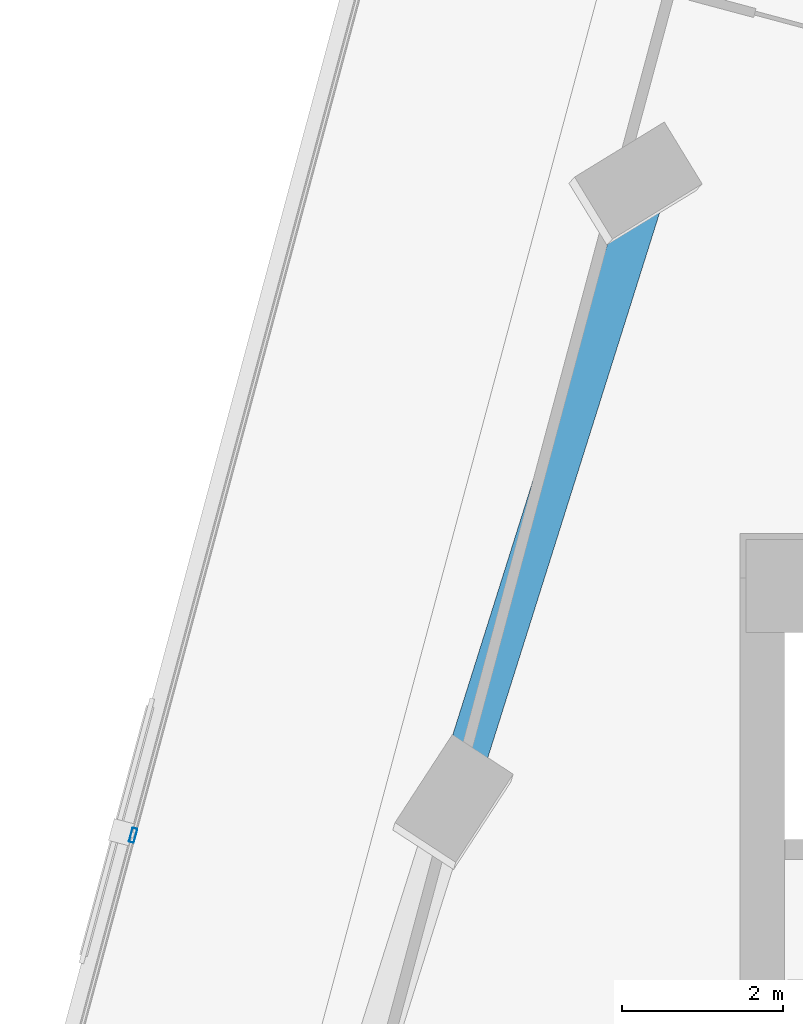
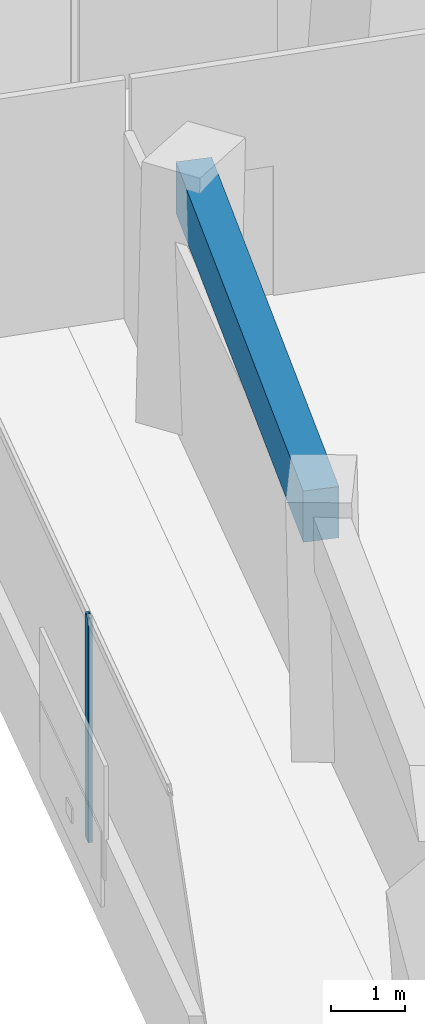
# One storey, part 7 of 27: 1 beam, 1 member, 1 element without a shape of its own.
"""IFC4 building model written with IfcOpenShell, lengths in metres."""

from ifc_helpers import new_model, si_unit, direction, frame, origin, origin_2d, place, context, subcontext, project, spatial, rectangle, hollow_rectangle, extrude, source, transform, mapped, material, material_profile, profile_set, type_object, element, aggregate, save


model = new_model("IFC4")

# Units and contexts
model_context = context("Model", 3, precision=1e-05, world=origin(), true_north=direction((0.0, 1.0)))
body_context = subcontext(model_context, "Body", "Model", "MODEL_VIEW")
ifc_project = project(units=[si_unit("LENGTHUNIT", "METRE"), si_unit("AREAUNIT", "SQUARE_METRE"), si_unit("VOLUMEUNIT", "CUBIC_METRE"), si_unit("PLANEANGLEUNIT", "RADIAN"), si_unit("MASSUNIT", "GRAM", prefix="KILO")], contexts=[model_context])

# Site, building, storey
site_placement = place(None, origin())
site = spatial("IfcSite", under=ifc_project, at=site_placement, CompositionType="ELEMENT")
building_placement = place(site_placement, origin())
building = spatial("IfcBuilding", under=site, at=building_placement, Name="Torre Montelarca", CompositionType="ELEMENT")
storey_placement = place(building_placement, frame((0.0, 0.0, 108.39990234375)))
storey = spatial("IfcBuildingStorey", under=building, at=storey_placement, Name="L24", CompositionType="ELEMENT", Elevation=108.39990234375)

# Beam
ifc_material_1 = material(Name="Concrete C55/67", Category="concrete")
ifc_material_profile_1 = material_profile(ifc_material_1, rectangle(XDim=0.5, YDim=0.85009765625, at=origin_2d()), Name="RCB500X850", Category="concrete")
ifc_profile_set_1 = profile_set([ifc_material_profile_1], Name="Concrete C55/67")
beam_type = type_object("IfcBeamType", Name="BM-SP-RC850-EXT", PredefinedType="SPANDREL", material=ifc_profile_set_1)
shared_shape_1 = source(origin(), body_context, "Body", "SweptSolid", [
    extrude(rectangle(XDim=0.5, YDim=0.85009765625, at=origin_2d()), origin(), (0.0, 0.0, 1.0), 7.999755859375),
])
beam_placement = place(storey_placement, frame((5.429931640625, 37.06689453125, 3.53515625), z_axis=(0.300694628035, 0.953720473027, 0.0), x_axis=(-0.953720473027, 0.300694628035, 0.0)))
element("IfcBeam", 1, at=beam_placement, inside=storey, type_object=beam_type, Name="L24 Grid Girder Y 32.0-40.0 at X=4.7", PredefinedType="SPANDREL", context=body_context, shape_type="MappedRepresentation", body=[
    mapped(shared_shape_1, transform((0.0, 0.0, 0.0), scale=1.0)),
])

# Curtain wall, member
ifc_material_2 = material(Name="Insulated low-E laminated glass", Category="glass")
curtain_wall_type = type_object("IfcCurtainWallType", Name="CW-SYS-Z1", PredefinedType="USERDEFINED", material=ifc_material_2)
curtain_wall_placement = place(storey_placement, origin())
curtain_wall = element("IfcCurtainWall", 2, at=curtain_wall_placement, inside=storey, type_object=curtain_wall_type, Name="L24 Curtain Wall Run CW-T3-L24-E10-B1", ObjectType="UNITISED GLAZING", PredefinedType="USERDEFINED")
ifc_material_3 = material(Name="Anodised aluminium AA 6063-T6", Category="aluminium")
ifc_material_profile_2 = material_profile(ifc_material_3, hollow_rectangle(XDim=0.06494140625, YDim=0.179931640625, WallThickness=0.00390625, InnerFilletRadius=0.00390625, OuterFilletRadius=0.008056640625, at=origin_2d()), Name="ALU65X180X4", Category="aluminium")
ifc_profile_set_2 = profile_set([ifc_material_profile_2], Name="Anodised aluminium AA 6063-T6")
member_type = type_object("IfcMemberType", Name="CWM-ALU180", PredefinedType="MULLION", material=ifc_profile_set_2)
shared_shape_2 = source(origin(), body_context, "Body", "SweptSolid", [
    extrude(hollow_rectangle(XDim=0.06494140625, YDim=0.179931640625, WallThickness=0.00390625, InnerFilletRadius=0.00390625, OuterFilletRadius=0.008056640625, at=origin_2d()), origin(), (0.0, 0.0, 1.0), 3.72021484375),
])
member_placement = place(storey_placement, frame((1.3720703125, 36.35791015625, 0.0), z_axis=(0.0, 0.0, 1.0), x_axis=(0.965926043153, -0.258818235755, 0.0)))
member = element("IfcMember", 3, at=member_placement, type_object=member_type, Name="CW mullion 2", PredefinedType="MULLION", context=body_context, shape_type="MappedRepresentation", body=[
    mapped(shared_shape_2, transform((0.0, 0.0, 0.0), scale=1.0)),
])
aggregate(curtain_wall, [member])

save(model, "model.ifc")
